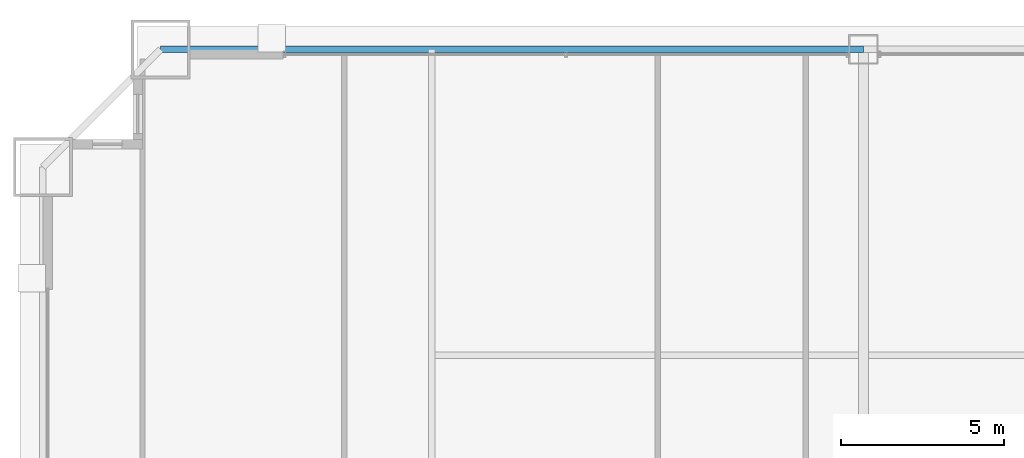
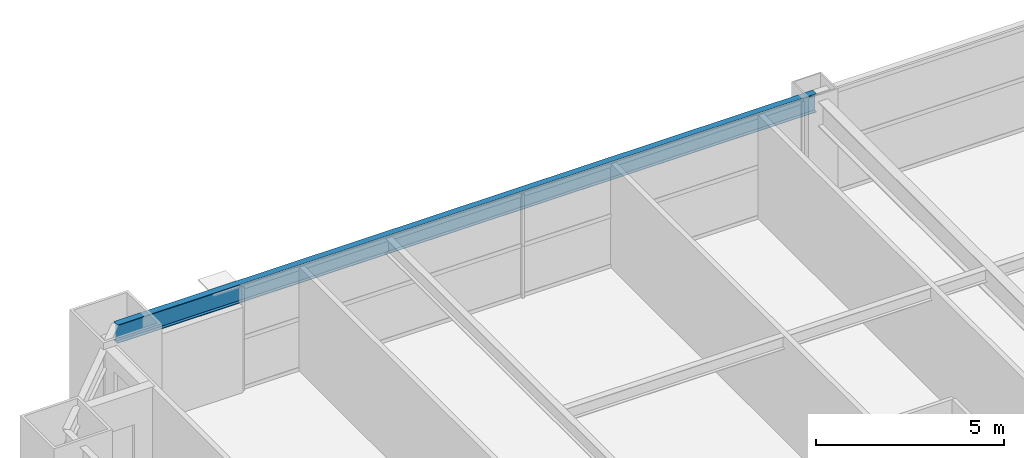
# One storey, part 26 of 43: 1 beam.
"""IFC4 building model written with IfcOpenShell, lengths in metres."""

from ifc_helpers import new_model, si_unit, direction, frame, origin, origin_2d, place, context, subcontext, project, spatial, i_section, extrude, source, transform, mapped, material, material_profile, profile_set, type_object, element, save


model = new_model("IFC4")

# Units and contexts
model_context = context("Model", 3, precision=1e-05, world=origin(), true_north=direction((0.0, 1.0)))
body_context = subcontext(model_context, "Body", "Model", "MODEL_VIEW")
ifc_project = project(units=[si_unit("LENGTHUNIT", "METRE"), si_unit("AREAUNIT", "SQUARE_METRE"), si_unit("VOLUMEUNIT", "CUBIC_METRE"), si_unit("PLANEANGLEUNIT", "RADIAN"), si_unit("MASSUNIT", "GRAM", prefix="KILO"), si_unit("THERMODYNAMICTEMPERATUREUNIT", "KELVIN"), si_unit("POWERUNIT", "WATT")], contexts=[model_context])

# Site, building, storey
site_placement = place(None, origin())
site = spatial("IfcSite", under=ifc_project, at=site_placement, CompositionType="ELEMENT")
building_placement = place(site_placement, origin())
building = spatial("IfcBuilding", under=site, at=building_placement, Name="Yuzanri Waterfront Tower", CompositionType="ELEMENT")
storey_placement = place(building_placement, frame((0.0, 0.0, 71.199951171875)))
storey = spatial("IfcBuildingStorey", under=building, at=storey_placement, Name="L18", CompositionType="ELEMENT", Elevation=71.199951171875)

# Beam
ifc_material = material(Name="Steel Q355B", Category="steel")
ifc_material_profile = material_profile(ifc_material, i_section(OverallWidth=0.199951171875, OverallDepth=0.60009765625, WebThickness=0.010986328125, FlangeThickness=0.01708984375, at=origin_2d()), Name="HN 600x200x11x17")
ifc_profile_set = profile_set([ifc_material_profile], Name="Steel Q355B")
beam_type = type_object("IfcBeamType", Name="Perimeter Spandrel Q355B HN 600x200", PredefinedType="SPANDREL", material=ifc_profile_set)
shared_shape = source(origin(), body_context, "Body", "SweptSolid", [
    extrude(i_section(OverallWidth=0.199951171875, OverallDepth=0.60009765625, WebThickness=0.010986328125, FlangeThickness=0.01708984375, at=origin_2d()), origin(), (0.0, 0.0, 1.0), 21.5),
])
beam_placement = place(storey_placement, frame((37.0, 50.89990234375, 3.080078125), z_axis=(-1.0, 0.0, 0.0), x_axis=(0.0, -1.0, 0.0)))
element("IfcBeam", 1, at=beam_placement, inside=storey, type_object=beam_type, Name="L18 Perimeter Spandrel N2-N1", PredefinedType="SPANDREL", context=body_context, shape_type="MappedRepresentation", body=[
    mapped(shared_shape, transform((0.0, 0.0, 0.0), scale=1.0)),
])

save(model, "model.ifc")
